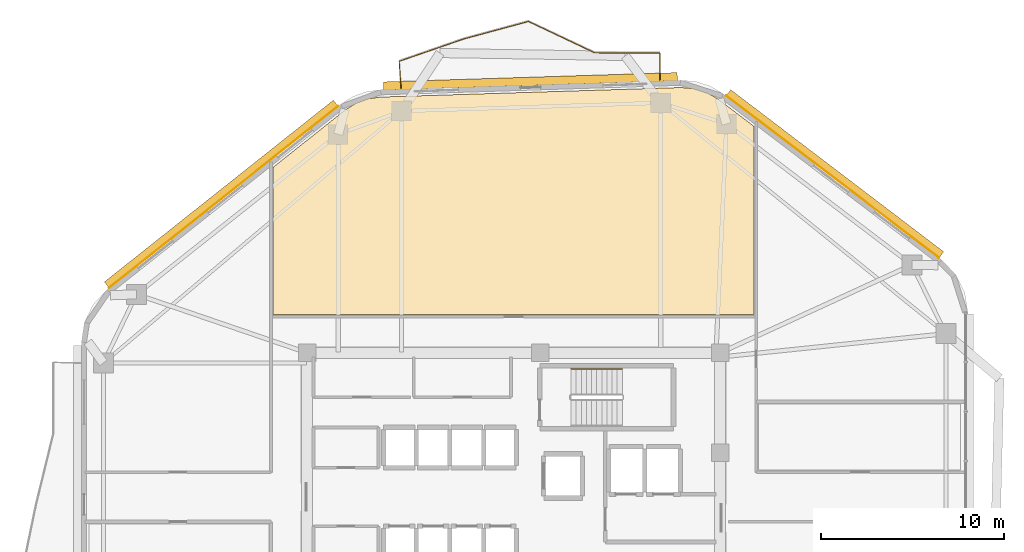
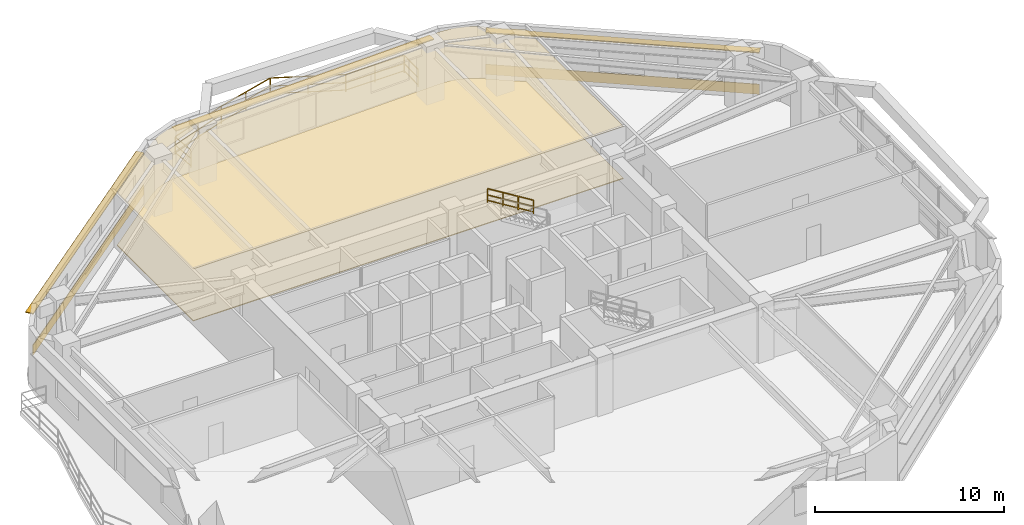
# One storey, part 13 of 13: 7 railings, 4 coverings, 3 shading devices.
"""IFC4 building model written with IfcOpenShell, lengths in metres."""

from ifc_helpers import new_model, si_unit, direction, frame, origin, origin_2d, place, context, subcontext, project, spatial, polyline, rectangle, outline, extrude, material, layer, layer_set, type_object, element, save


model = new_model("IFC4")

# Units and contexts
model_context = context("Model", 3, precision=1e-05, world=origin(), true_north=direction((0.0, 1.0)))
body_context = subcontext(model_context, "Body", "Model", "MODEL_VIEW")
ifc_project = project(units=[si_unit("LENGTHUNIT", "METRE"), si_unit("AREAUNIT", "SQUARE_METRE"), si_unit("VOLUMEUNIT", "CUBIC_METRE"), si_unit("PLANEANGLEUNIT", "RADIAN"), si_unit("MASSUNIT", "GRAM", prefix="KILO")], contexts=[model_context])

# Site, building, storey
site_placement = place(None, origin())
site = spatial("IfcSite", under=ifc_project, at=site_placement, CompositionType="ELEMENT")
building_placement = place(site_placement, origin())
building = spatial("IfcBuilding", under=site, at=building_placement, Name="Zulverin Broadcast Headquarters", CompositionType="ELEMENT")
storey_placement = place(building_placement, frame((0.0, 0.0, 155.39990234375)))
storey = spatial("IfcBuildingStorey", under=building, at=storey_placement, Name="L39", CompositionType="ELEMENT", Elevation=155.39990234375)

# Coverings
ifc_material_1 = material(Name="Perforated pale-metal acoustic baffle ceiling", Category="aluminium")
ifc_layer_1 = layer(ifc_material_1, 0.0400390625, Name="Perforated pale-metal acoustic baffle ceiling", Category="aluminium")
ifc_layer_set_1 = layer_set([ifc_layer_1], Name="Perforated pale-metal acoustic baffle ceiling")
covering_type_1 = type_object("IfcCoveringType", Name="COV-CEIL-ACOU", PredefinedType="CEILING", material=ifc_layer_set_1)
covering_1_placement = place(storey_placement, frame((0.0, 0.0, 3.360107421875)))
element("IfcCovering", 1, at=covering_1_placement, inside=storey, type_object=covering_type_1, Name="L39 Acoustic Baffle Ceiling 01", PredefinedType="CEILING", context=body_context, shape_type="SweptSolid", body=[
    extrude(outline(polyline([(46.8759765625, 47.49609375), (46.1279296875, 47.56005859375), (29.73193359375, 47.0400390625), (29.031982421875, 46.944091796875), (28.39599609375, 46.7080078125), (27.800048828125, 46.33203125), (23.8720703125, 43.2119140625), (23.8720703125, 35.172119140625), (50.132080078125, 35.172119140625), (50.132080078125, 45.431884765625), (48.2080078125, 46.89208984375), (47.568115234375, 47.27587890625), (46.8759765625, 47.49609375)])), origin(), (0.0, 0.0, 1.0), 0.0400390625),
])
ifc_material_2 = material(Name="Brushed pale-aluminium rainscreen cladding", Category="aluminium")
ifc_layer_2 = layer(ifc_material_2, 0.0400390625, Name="Brushed pale-aluminium rainscreen cladding", Category="aluminium")
ifc_layer_set_2 = layer_set([ifc_layer_2], Name="Brushed pale-aluminium rainscreen cladding")
covering_type_2 = type_object("IfcCoveringType", Name="COV-CLAD-PALE", PredefinedType="CLADDING", material=ifc_layer_set_2)
covering_2_placement = place(storey_placement, frame((54.412353515625, 42.689453125, 0.05517578125), z_axis=(0.0, 0.0, 1.0), x_axis=(-0.795836111996, 0.605512083152, 0.0)))
element("IfcCovering", 2, at=covering_2_placement, inside=storey, type_object=covering_type_2, Name="L39 Brushed Pale-Aluminium Spandrel Cladding 4", PredefinedType="CLADDING", context=body_context, shape_type="SweptSolid", body=[
    extrude(rectangle(XDim=14.61181640625, YDim=0.0400390625, at=origin_2d()), origin(), (0.0, 0.0, 1.0), 0.64990234375),
])
covering_3_placement = place(storey_placement, frame((21.16015625, 41.583984375, 0.05517578125), z_axis=(0.0, 0.0, 1.0), x_axis=(-0.783270473924, -0.621681079556, 0.0)))
element("IfcCovering", 3, at=covering_3_placement, inside=storey, type_object=covering_type_2, Name="L39 Brushed Pale-Aluminium Spandrel Cladding 6", PredefinedType="CLADDING", context=body_context, shape_type="SweptSolid", body=[
    extrude(rectangle(XDim=15.953125, YDim=0.0400390625, at=origin_2d()), origin(), (0.0, 0.0, 1.0), 0.64990234375),
])
ifc_material_3 = material(Name="Anti-static broadcast raised access flooring", Category="stone")
ifc_layer_3 = layer(ifc_material_3, 0.050048828125, Name="Anti-static broadcast raised access flooring", Category="stone")
ifc_layer_set_3 = layer_set([ifc_layer_3], Name="Anti-static broadcast raised access flooring")
covering_type_3 = type_object("IfcCoveringType", Name="COV-FLR-RAISED", PredefinedType="FLOORING", material=ifc_layer_set_3)
covering_4_placement = place(storey_placement, origin())
element("IfcCovering", 4, at=covering_4_placement, inside=storey, type_object=covering_type_3, Name="L39 Broadcast Raised Access Flooring 01", PredefinedType="FLOORING", context=body_context, shape_type="SweptSolid", body=[
    extrude(outline(polyline([(46.8759765625, 47.49609375), (46.1279296875, 47.56005859375), (29.73193359375, 47.0400390625), (29.031982421875, 46.944091796875), (28.39599609375, 46.7080078125), (27.800048828125, 46.33203125), (23.8720703125, 43.2119140625), (23.8720703125, 35.172119140625), (50.132080078125, 35.172119140625), (50.132080078125, 45.431884765625), (48.2080078125, 46.89208984375), (47.568115234375, 47.27587890625), (46.8759765625, 47.49609375)])), origin(), (0.0, 0.0, 1.0), 0.050048828125),
])

# Railings
ifc_material_4 = material(Name="Brushed stainless steel & laminated glass balustrade", Category="steel")
railing_type_1 = type_object("IfcRailingType", Name="RL-GUARD-1150", PredefinedType="GUARDRAIL", material=ifc_material_4)
railing_1_placement = place(storey_placement, frame((44.978271484375, 47.962646484375, 0.0)))
element("IfcRailing", 5, at=railing_1_placement, inside=storey, type_object=railing_type_1, Name="L39 Vertical-Forest Balcony Guardrail BAL_N Segment 01", PredefinedType="GUARDRAIL", context=body_context, shape_type="SweptSolid", body=[
    extrude(rectangle(XDim=0.048095703125, YDim=0.048095703125, at=origin_2d()), frame((0.0, 0.0, 1.1259765625), z_axis=(0.008825634609, 0.999961053328, 0.0), x_axis=(-0.999961053328, 0.008825634609, 0.0)), (0.0, 0.0, 1.0), 1.466064453125),
    extrude(rectangle(XDim=0.0419921875, YDim=0.0419921875, at=origin_2d()), frame((0.0, 0.0, 0.597900390625), z_axis=(0.008825634609, 0.999961053328, 0.0), x_axis=(-0.999961053328, 0.008825634609, 0.0)), (0.0, 0.0, 1.0), 1.466064453125),
    extrude(rectangle(XDim=0.0419921875, YDim=0.0419921875, at=origin_2d()), frame((0.0, 0.0, 0.1201171875), z_axis=(0.008825634609, 0.999961053328, 0.0), x_axis=(-0.999961053328, 0.008825634609, 0.0)), (0.0, 0.0, 1.0), 1.466064453125),
    extrude(rectangle(XDim=0.0419921875, YDim=0.0419921875, at=origin_2d()), origin(), (0.0, 0.0, 1.0), 1.101806640625),
    extrude(rectangle(XDim=0.0419921875, YDim=0.0419921875, at=origin_2d()), frame((0.012939453125, 1.466064453125, 0.0)), (0.0, 0.0, 1.0), 1.101806640625),
])
railing_2_placement = place(storey_placement, frame((44.976318359375, 49.44384765625, 0.0)))
element("IfcRailing", 6, at=railing_2_placement, inside=storey, type_object=railing_type_1, Name="L39 Vertical-Forest Balcony Guardrail BAL_N Segment 02", PredefinedType="GUARDRAIL", context=body_context, shape_type="SweptSolid", body=[
    extrude(rectangle(XDim=0.048095703125, YDim=0.048095703125, at=origin_2d()), frame((0.0, 0.0, 1.1259765625), z_axis=(-0.999993798322, 0.003521834384, 0.0), x_axis=(-0.003521834384, -0.999993798322, 0.0)), (0.0, 0.0, 1.0), 3.535400390625),
    extrude(rectangle(XDim=0.0419921875, YDim=0.0419921875, at=origin_2d()), frame((0.0, 0.0, 0.597900390625), z_axis=(-0.999993798322, 0.003521834384, 0.0), x_axis=(-0.003521834384, -0.999993798322, 0.0)), (0.0, 0.0, 1.0), 3.535400390625),
    extrude(rectangle(XDim=0.0419921875, YDim=0.0419921875, at=origin_2d()), frame((0.0, 0.0, 0.1201171875), z_axis=(-0.999993798322, 0.003521834384, 0.0), x_axis=(-0.003521834384, -0.999993798322, 0.0)), (0.0, 0.0, 1.0), 3.535400390625),
    extrude(rectangle(XDim=0.0419921875, YDim=0.0419921875, at=origin_2d()), origin(), (0.0, 0.0, 1.0), 1.101806640625),
    extrude(rectangle(XDim=0.0419921875, YDim=0.0419921875, at=origin_2d()), frame((-1.767578125, 0.00634765625, 0.0)), (0.0, 0.0, 1.0), 1.101806640625),
    extrude(rectangle(XDim=0.0419921875, YDim=0.0419921875, at=origin_2d()), frame((-3.535400390625, 0.012451171875, 0.0)), (0.0, 0.0, 1.0), 1.101806640625),
])
railing_3_placement = place(storey_placement, frame((41.412353515625, 49.462890625, 0.0)))
element("IfcRailing", 7, at=railing_3_placement, inside=storey, type_object=railing_type_1, Name="L39 Vertical-Forest Balcony Guardrail BAL_N Segment 03", PredefinedType="GUARDRAIL", context=body_context, shape_type="SweptSolid", body=[
    extrude(rectangle(XDim=0.048095703125, YDim=0.048095703125, at=origin_2d()), frame((0.0, 0.0, 1.1259765625), z_axis=(-0.904125358582, 0.427267288671, 0.0), x_axis=(-0.427267288671, -0.904125358582, 0.0)), (0.0, 0.0, 1.0), 3.972900390625),
    extrude(rectangle(XDim=0.0419921875, YDim=0.0419921875, at=origin_2d()), frame((0.0, 0.0, 0.597900390625), z_axis=(-0.904125358582, 0.427267288671, 0.0), x_axis=(-0.427267288671, -0.904125358582, 0.0)), (0.0, 0.0, 1.0), 3.972900390625),
    extrude(rectangle(XDim=0.0419921875, YDim=0.0419921875, at=origin_2d()), frame((0.0, 0.0, 0.1201171875), z_axis=(-0.904125358582, 0.427267288671, 0.0), x_axis=(-0.427267288671, -0.904125358582, 0.0)), (0.0, 0.0, 1.0), 3.972900390625),
    extrude(rectangle(XDim=0.0419921875, YDim=0.0419921875, at=origin_2d()), origin(), (0.0, 0.0, 1.0), 1.101806640625),
    extrude(rectangle(XDim=0.0419921875, YDim=0.0419921875, at=origin_2d()), frame((-1.7958984375, 0.8486328125, 0.0)), (0.0, 0.0, 1.0), 1.101806640625),
    extrude(rectangle(XDim=0.0419921875, YDim=0.0419921875, at=origin_2d()), frame((-3.592041015625, 1.697509765625, 0.0)), (0.0, 0.0, 1.0), 1.101806640625),
])
railing_4_placement = place(storey_placement, frame((37.792236328125, 51.1630859375, 0.0)))
element("IfcRailing", 8, at=railing_4_placement, inside=storey, type_object=railing_type_1, Name="L39 Vertical-Forest Balcony Guardrail BAL_N Segment 04", PredefinedType="GUARDRAIL", context=body_context, shape_type="SweptSolid", body=[
    extrude(rectangle(XDim=0.048095703125, YDim=0.048095703125, at=origin_2d()), frame((0.0, 0.0, 1.1259765625), z_axis=(-0.965394050687, -0.260795565333, 0.0), x_axis=(0.260795565333, -0.965394050687, 0.0)), (0.0, 0.0, 1.0), 3.63134765625),
    extrude(rectangle(XDim=0.0419921875, YDim=0.0419921875, at=origin_2d()), frame((0.0, 0.0, 0.597900390625), z_axis=(-0.965394050687, -0.260795565333, 0.0), x_axis=(0.260795565333, -0.965394050687, 0.0)), (0.0, 0.0, 1.0), 3.63134765625),
    extrude(rectangle(XDim=0.0419921875, YDim=0.0419921875, at=origin_2d()), frame((0.0, 0.0, 0.1201171875), z_axis=(-0.965394050687, -0.260795565333, 0.0), x_axis=(0.260795565333, -0.965394050687, 0.0)), (0.0, 0.0, 1.0), 3.63134765625),
    extrude(rectangle(XDim=0.0419921875, YDim=0.0419921875, at=origin_2d()), origin(), (0.0, 0.0, 1.0), 1.101806640625),
    extrude(rectangle(XDim=0.0419921875, YDim=0.0419921875, at=origin_2d()), frame((-1.7529296875, -0.4736328125, 0.0)), (0.0, 0.0, 1.0), 1.101806640625),
    extrude(rectangle(XDim=0.0419921875, YDim=0.0419921875, at=origin_2d()), frame((-3.505615234375, -0.947021484375, 0.0)), (0.0, 0.0, 1.0), 1.101806640625),
])
railing_5_placement = place(storey_placement, frame((34.2578125, 50.207275390625, 0.0)))
element("IfcRailing", 9, at=railing_5_placement, inside=storey, type_object=railing_type_1, Name="L39 Vertical-Forest Balcony Guardrail BAL_N Segment 05", PredefinedType="GUARDRAIL", context=body_context, shape_type="SweptSolid", body=[
    extrude(rectangle(XDim=0.048095703125, YDim=0.048095703125, at=origin_2d()), frame((0.0, 0.0, 1.1259765625), z_axis=(-0.945013517275, -0.327031270932, 0.0), x_axis=(0.327031270932, -0.945013517275, 0.0)), (0.0, 0.0, 1.0), 3.701416015625),
    extrude(rectangle(XDim=0.0419921875, YDim=0.0419921875, at=origin_2d()), frame((0.0, 0.0, 0.597900390625), z_axis=(-0.945013517275, -0.327031270932, 0.0), x_axis=(0.327031270932, -0.945013517275, 0.0)), (0.0, 0.0, 1.0), 3.701416015625),
    extrude(rectangle(XDim=0.0419921875, YDim=0.0419921875, at=origin_2d()), frame((0.0, 0.0, 0.1201171875), z_axis=(-0.945013517275, -0.327031270932, 0.0), x_axis=(0.327031270932, -0.945013517275, 0.0)), (0.0, 0.0, 1.0), 3.701416015625),
    extrude(rectangle(XDim=0.0419921875, YDim=0.0419921875, at=origin_2d()), origin(), (0.0, 0.0, 1.0), 1.101806640625),
    extrude(rectangle(XDim=0.0419921875, YDim=0.0419921875, at=origin_2d()), frame((-1.7490234375, -0.605224609375, 0.0)), (0.0, 0.0, 1.0), 1.101806640625),
    extrude(rectangle(XDim=0.0419921875, YDim=0.0419921875, at=origin_2d()), frame((-3.497802734375, -1.21044921875, 0.0)), (0.0, 0.0, 1.0), 1.101806640625),
])
railing_6_placement = place(storey_placement, frame((30.7470703125, 48.976806640625, 0.0)))
element("IfcRailing", 10, at=railing_6_placement, inside=storey, type_object=railing_type_1, Name="L39 Vertical-Forest Balcony Guardrail BAL_N Segment 06", PredefinedType="GUARDRAIL", context=body_context, shape_type="SweptSolid", body=[
    extrude(rectangle(XDim=0.048095703125, YDim=0.048095703125, at=origin_2d()), frame((0.0, 0.0, 1.1259765625), z_axis=(0.072110992432, -0.997396613575, 0.0), x_axis=(0.997396613575, 0.072110992432, 0.0)), (0.0, 0.0, 1.0), 1.466064453125),
    extrude(rectangle(XDim=0.0419921875, YDim=0.0419921875, at=origin_2d()), frame((0.0, 0.0, 0.597900390625), z_axis=(0.072110992432, -0.997396613575, 0.0), x_axis=(0.997396613575, 0.072110992432, 0.0)), (0.0, 0.0, 1.0), 1.466064453125),
    extrude(rectangle(XDim=0.0419921875, YDim=0.0419921875, at=origin_2d()), frame((0.0, 0.0, 0.1201171875), z_axis=(0.072110992432, -0.997396613575, 0.0), x_axis=(0.997396613575, 0.072110992432, 0.0)), (0.0, 0.0, 1.0), 1.466064453125),
    extrude(rectangle(XDim=0.0419921875, YDim=0.0419921875, at=origin_2d()), origin(), (0.0, 0.0, 1.0), 1.101806640625),
    extrude(rectangle(XDim=0.0419921875, YDim=0.0419921875, at=origin_2d()), frame((0.105712890625, -1.462158203125, 0.0)), (0.0, 0.0, 1.0), 1.101806640625),
])
ifc_material_5 = material(Name="Brushed stainless steel 48 mm handrail", Category="steel")
railing_type_2 = type_object("IfcRailingType", Name="RL-ST-HAND", PredefinedType="HANDRAIL", material=ifc_material_5)
railing_7_placement = place(storey_placement, frame((42.929931640625, 32.199951171875, 2.07275390625)))
element("IfcRailing", 11, at=railing_7_placement, inside=storey, type_object=railing_type_2, Name="L39 ST-1 stair handrail 2", PredefinedType="HANDRAIL", context=body_context, shape_type="SweptSolid", body=[
    extrude(rectangle(XDim=0.048095703125, YDim=0.048095703125, at=origin_2d()), frame((0.0, 0.0, 0.8759765625), z_axis=(-0.851089632645, 0.0, 0.525020415988), x_axis=(0.0, -1.0, 0.0)), (0.0, 0.0, 1.0), 3.2900390625),
    extrude(rectangle(XDim=0.0419921875, YDim=0.0419921875, at=origin_2d()), frame((0.0, 0.0, 0.468017578125), z_axis=(-0.851089632645, 0.0, 0.525020415988), x_axis=(0.0, -1.0, 0.0)), (0.0, 0.0, 1.0), 3.2900390625),
    extrude(rectangle(XDim=0.0419921875, YDim=0.0419921875, at=origin_2d()), frame((0.0, 0.0, 0.1201171875), z_axis=(-0.851089632645, 0.0, 0.525020415988), x_axis=(0.0, -1.0, 0.0)), (0.0, 0.0, 1.0), 3.2900390625),
    extrude(rectangle(XDim=0.0419921875, YDim=0.0419921875, at=origin_2d()), origin(), (0.0, 0.0, 1.0), 0.851806640625),
    extrude(rectangle(XDim=0.0419921875, YDim=0.0419921875, at=origin_2d()), frame((-0.933349609375, 0.0, 0.57568359375)), (0.0, 0.0, 1.0), 0.851806640625),
    extrude(rectangle(XDim=0.0419921875, YDim=0.0419921875, at=origin_2d()), frame((-1.86669921875, 0.0, 1.151611328125)), (0.0, 0.0, 1.0), 0.851806640625),
    extrude(rectangle(XDim=0.0419921875, YDim=0.0419921875, at=origin_2d()), frame((-2.800048828125, 0.0, 1.727294921875)), (0.0, 0.0, 1.0), 0.851806640625),
])

# Shading devices
ifc_material_6 = material(Name="Anodized pale-metal aluminium sunshade", Category="aluminium")
ifc_layer_4 = layer(ifc_material_6, 0.06005859375, Name="Anodized pale-metal aluminium sunshade", Category="aluminium")
ifc_layer_set_4 = layer_set([ifc_layer_4], Name="Anodized pale-metal aluminium sunshade")
shading_device_type = type_object("IfcShadingDeviceType", Name="SS-01_PALE_METAL_ALUMINIUM_SUNSHADE", PredefinedType="USERDEFINED", material=ifc_layer_set_4)
shading_device_1_placement = place(storey_placement, frame((54.527587890625, 42.840576171875, 2.7099609375), z_axis=(0.0, 0.0, 1.0), x_axis=(-0.795836111996, 0.605512083152, 0.0)))
element("IfcShadingDevice", 12, at=shading_device_1_placement, inside=storey, type_object=shading_device_type, Name="L39 Horizontal Pale-Metal Sunshade Band 4", ObjectType="SUNSHADE", PredefinedType="USERDEFINED", context=body_context, shape_type="SweptSolid", body=[
    extrude(rectangle(XDim=14.61181640625, YDim=0.449951171875, at=origin_2d()), origin(), (0.0, 0.0, 1.0), 0.06005859375),
])
shading_device_2_placement = place(storey_placement, frame((37.910400390625, 47.8984375, 2.7099609375), z_axis=(0.0, 0.0, 1.0), x_axis=(-0.999497141269, -0.031709061709, 0.0)))
element("IfcShadingDevice", 13, at=shading_device_2_placement, inside=storey, type_object=shading_device_type, Name="L39 Horizontal Pale-Metal Sunshade Band 5", ObjectType="SUNSHADE", PredefinedType="USERDEFINED", context=body_context, shape_type="SweptSolid", body=[
    extrude(rectangle(XDim=16.052490234375, YDim=0.449951171875, at=origin_2d()), origin(), (0.0, 0.0, 1.0), 0.06005859375),
])
shading_device_3_placement = place(storey_placement, frame((21.0419921875, 41.73291015625, 2.7099609375), z_axis=(0.0, 0.0, 1.0), x_axis=(-0.783270473924, -0.621681079556, 0.0)))
element("IfcShadingDevice", 14, at=shading_device_3_placement, inside=storey, type_object=shading_device_type, Name="L39 Horizontal Pale-Metal Sunshade Band 6", ObjectType="SUNSHADE", PredefinedType="USERDEFINED", context=body_context, shape_type="SweptSolid", body=[
    extrude(rectangle(XDim=15.953125, YDim=0.449951171875, at=origin_2d()), origin(), (0.0, 0.0, 1.0), 0.06005859375),
])

save(model, "model.ifc")
